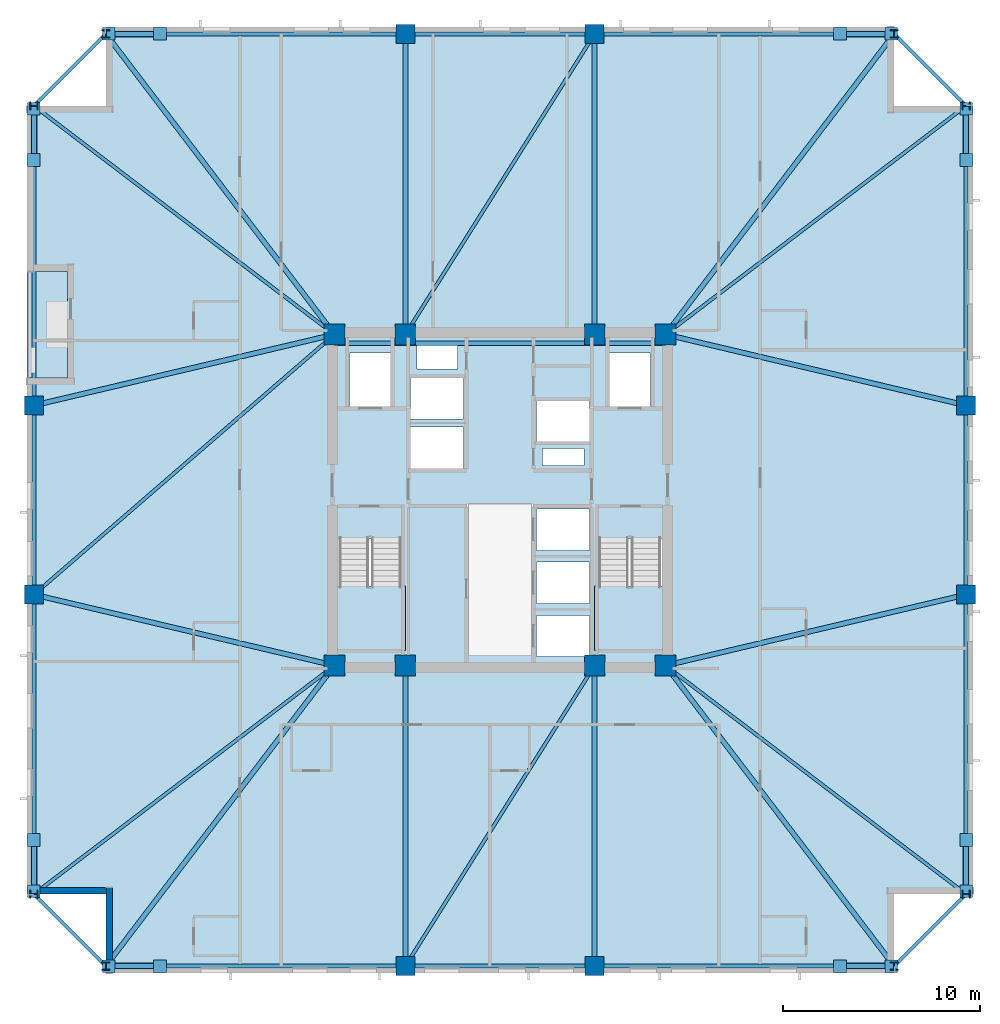
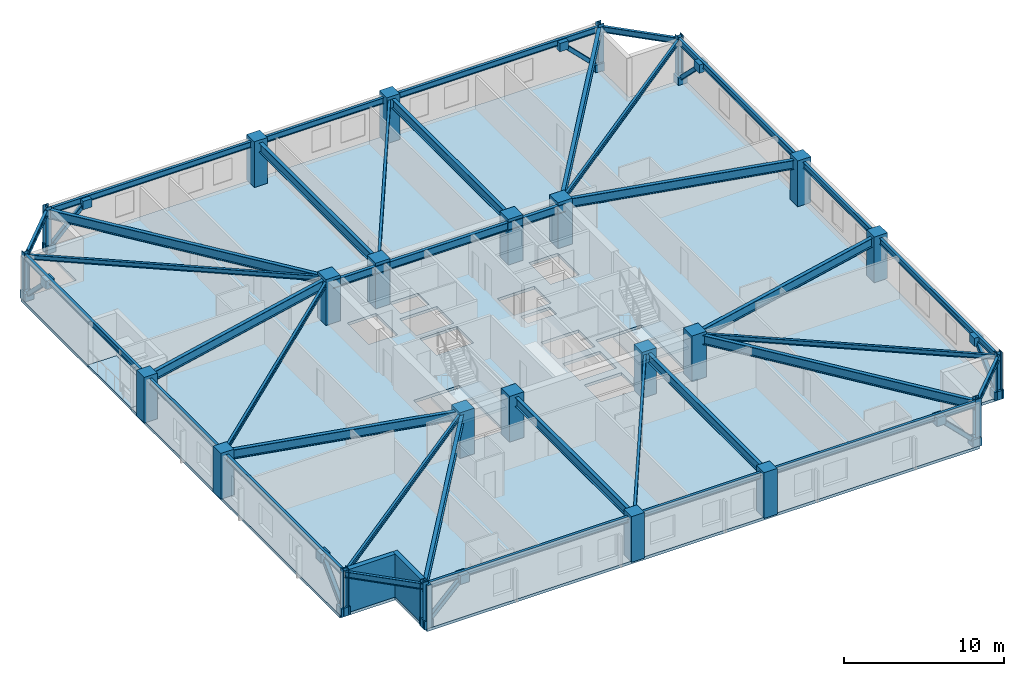
# One storey, part 1 of 10: 38 beams, 24 columns, 16 plates, 8 members, 4 slabs, 2 walls, 2 elements without a shape of their own.
"""IFC4 building model written with IfcOpenShell, lengths in metres."""

import ifcopenshell
import ifcopenshell.guid

model = None  # the IFC model being written
_history = None  # IfcOwnerHistory: only IFC2X3 demands one
_inside = {}  # id of a spatial element -> (the spatial element, [elements in it])
_under = {}  # id of a project, library or spatial element -> (it, [spatial elements below it])
_declared = {}  # id of a project -> (the project, [libraries it declares])
_typed = {}  # id of a type object -> (the type object, [elements of that type])
_made_of = {}  # id of a material, layer set ... -> (it, [elements and type objects made of it])


def new_model(schema):
    """Start an empty IFC model of exactly this schema.

    Asked for "IFC4X3", IfcOpenShell would pick the latest addendum, in which some entities
    have other attributes; the version numbers below select the first issue.
    IFC2X3 requires an IfcOwnerHistory on every rooted entity: one is made here for all.
    """
    global model, _history
    if schema == "IFC4X3":
        model = ifcopenshell.file(schema_version=(4, 3, 0, 0))
    else:
        model = ifcopenshell.file(schema=schema)
    _inside.clear()
    _under.clear()
    _declared.clear()
    _typed.clear()
    _made_of.clear()
    _history = None
    if model.schema == "IFC2X3":
        org = make("IfcOrganization", Name="unknown")
        user = make(
            "IfcPersonAndOrganization",
            ThePerson=make("IfcPerson", FamilyName="unknown"),
            TheOrganization=org,
        )
        app = make(
            "IfcApplication",
            ApplicationDeveloper=org,
            Version="unknown",
            ApplicationFullName="unknown",
            ApplicationIdentifier="unknown",
        )
        _history = make(
            "IfcOwnerHistory",
            OwningUser=user,
            OwningApplication=app,
            ChangeAction="ADDED",
            CreationDate=0,
        )
    return model


def make(cls, **values):
    """One entity of the class cls with the attributes given. An attribute that is None is left unset."""
    return model.create_entity(
        cls, **{name: value for name, value in values.items() if value is not None}
    )


def rooted(cls, **values):
    """An entity with a GlobalId (a new one), such as an element, a storey or a relation."""
    return make(cls, GlobalId=ifcopenshell.guid.new(), OwnerHistory=_history, **values)


def si_unit(unit_type, name, prefix=None):
    """IfcSIUnit, for example si_unit("LENGTHUNIT", "METRE", prefix="MILLI")."""
    return make("IfcSIUnit", UnitType=unit_type, Prefix=prefix, Name=name)


def assignment(units):
    """IfcUnitAssignment: the units of a project."""
    return None if units is None else make("IfcUnitAssignment", Units=units)


def point(xyz):
    """IfcCartesianPoint."""
    return None if xyz is None else make("IfcCartesianPoint", Coordinates=xyz)


def direction(xyz):
    """IfcDirection."""
    return None if xyz is None else make("IfcDirection", DirectionRatios=xyz)


def frame(location, z_axis=None, x_axis=None):
    """IfcAxis2Placement3D, a coordinate frame: its origin and axes. An axis left out is left unset."""
    return make(
        "IfcAxis2Placement3D",
        Location=point(location),
        Axis=direction(z_axis),
        RefDirection=direction(x_axis),
    )


def frame_2d(location, x_axis=None):
    """IfcAxis2Placement2D, a coordinate frame in the plane: its origin and x axis."""
    return make(
        "IfcAxis2Placement2D", Location=point(location), RefDirection=direction(x_axis)
    )


def origin():
    """The frame at (0, 0, 0) with its axes left unset."""
    return frame((0.0, 0.0, 0.0))


def origin_2d():
    """The frame at (0, 0) in the plane with its x axis left unset."""
    return frame_2d((0.0, 0.0))


def place(relative_to, where):
    """IfcLocalPlacement: puts the frame where relative to a parent placement (None: the world)."""
    return make(
        "IfcLocalPlacement", PlacementRelTo=relative_to, RelativePlacement=where
    )


def context(
    kind, dimensions, precision=None, world=None, true_north=None, identifier=None
):
    """IfcGeometricRepresentationContext, for example the 3D "Model" context."""
    return make(
        "IfcGeometricRepresentationContext",
        ContextIdentifier=identifier,
        ContextType=kind,
        CoordinateSpaceDimension=dimensions,
        Precision=precision,
        WorldCoordinateSystem=world,
        TrueNorth=true_north,
    )


def subcontext(parent, identifier, kind, view, scale=None):
    """IfcGeometricRepresentationSubContext, for example "Body" below "Model"."""
    return make(
        "IfcGeometricRepresentationSubContext",
        ContextIdentifier=identifier,
        ContextType=kind,
        ParentContext=parent,
        TargetScale=scale,
        TargetView=view,
    )


def project(units=None, contexts=None):
    """IfcProject with its units and contexts."""
    return rooted(
        "IfcProject",
        Name="project",
        RepresentationContexts=contexts,
        UnitsInContext=assignment(units),
    )


def spatial(cls, under=None, at=None, **own):
    """A site, building, storey or space (cls), placed at a placement, below another one or the project."""
    s = rooted(cls, ObjectPlacement=at, **own)
    if under is not None:
        _under.setdefault(under.id(), (under, []))[1].append(s)
    return s


def polyline(points):
    """IfcPolyline through the points."""
    return make("IfcPolyline", Points=[point(p) for p in points])


def profile(cls, at=None, kind="AREA", **sizes):
    """A parametric profile (cls). Its sizes go by their IFC names, for example OverallWidth=200.0."""
    return make(cls, ProfileType=kind, Position=at, **sizes)


def rectangle(**sizes):
    """IfcRectangleProfileDef."""
    return profile("IfcRectangleProfileDef", **sizes)


def hollow_rectangle(**sizes):
    """IfcRectangleHollowProfileDef."""
    return profile("IfcRectangleHollowProfileDef", **sizes)


def i_section(**sizes):
    """IfcIShapeProfileDef."""
    return profile("IfcIShapeProfileDef", **sizes)


def outline(outer, holes=None, kind="AREA"):
    """IfcArbitraryClosedProfileDef: a profile drawn as a closed curve; with holes, ...WithVoids."""
    if holes is None:
        return make("IfcArbitraryClosedProfileDef", ProfileType=kind, OuterCurve=outer)
    return make(
        "IfcArbitraryProfileDefWithVoids",
        ProfileType=kind,
        OuterCurve=outer,
        InnerCurves=holes,
    )


def extrude(swept, where, along, depth):
    """IfcExtrudedAreaSolid: the profile swept, set in the frame where, extruded along a direction by depth."""
    return make(
        "IfcExtrudedAreaSolid",
        SweptArea=swept,
        Position=where,
        ExtrudedDirection=direction(along),
        Depth=depth,
    )


def shape(context_of_items, identifier, shape_type, items):
    """IfcShapeRepresentation: the items that make up one representation, for example the "Body"."""
    return make(
        "IfcShapeRepresentation",
        ContextOfItems=context_of_items,
        RepresentationIdentifier=identifier,
        RepresentationType=shape_type,
        Items=items,
    )


def material(Name=None, Category=None):
    """IfcMaterial."""
    return make("IfcMaterial", Name=Name, Category=Category)


def layer(
    of_material, thickness, ventilated=None, Name=None, Category=None, Priority=None
):
    """IfcMaterialLayer: one layer of a wall or slab, of a material (None: an air gap)."""
    return make(
        "IfcMaterialLayer",
        Material=of_material,
        LayerThickness=thickness,
        IsVentilated=ventilated,
        Name=Name,
        Category=Category,
        Priority=Priority,
    )


def layer_set(layers, Name=None):
    """IfcMaterialLayerSet."""
    return make("IfcMaterialLayerSet", MaterialLayers=layers, LayerSetName=Name)


def material_profile(
    of_material, cross_section, Name=None, Category=None, Priority=None
):
    """IfcMaterialProfile: a cross section and its material."""
    return make(
        "IfcMaterialProfile",
        Name=Name,
        Material=of_material,
        Profile=cross_section,
        Priority=Priority,
        Category=Category,
    )


def profile_set(profiles, Name=None, composite=None):
    """IfcMaterialProfileSet."""
    return make(
        "IfcMaterialProfileSet",
        Name=Name,
        MaterialProfiles=profiles,
        CompositeProfile=composite,
    )


def made_of(thing, what):
    """Note that an element or type object is made of a material, layer set ...; save() writes the relation."""
    if what is not None:
        _made_of.setdefault(what.id(), (what, []))[1].append(thing)
    return thing


def type_object(cls, material=None, **own):
    """A type object (cls), such as IfcWallType, which elements share."""
    return made_of(rooted(cls, **own), material)


def element(
    cls,
    number,
    at=None,
    inside=None,
    cuts=None,
    type_object=None,
    material=None,
    context=None,
    identifier="Body",
    shape_type=None,
    held_by="IfcProductDefinitionShape",
    body=None,
    shapes=None,
    **own,
):
    """One element of the class cls, such as IfcWall. Its Tag is "e" and its number.

    at: its placement. inside: the storey or other place that contains it. cuts: it is an
    opening in that element (IfcRelVoidsElement). A single representation is given by context,
    identifier, shape_type and body (its items); several are given by shapes. held_by: the class
    of the entity that holds the representations. save() writes the other relations.
    """
    e = rooted(cls, Tag="e%d" % number, ObjectPlacement=at, **own)
    if body is not None:
        shapes = [shape(context, identifier, shape_type, body)]
    if shapes is not None:
        e.Representation = make(held_by, Representations=shapes)
    if inside is not None:
        _inside.setdefault(inside.id(), (inside, []))[1].append(e)
    if cuts is not None:
        rooted(
            "IfcRelVoidsElement", RelatingBuildingElement=cuts, RelatedOpeningElement=e
        )
    if type_object is not None:
        _typed.setdefault(type_object.id(), (type_object, []))[1].append(e)
    return made_of(e, material)


def aggregate(whole, parts):
    """IfcRelAggregates: a whole, such as a stair, and the parts it consists of."""
    return rooted("IfcRelAggregates", RelatingObject=whole, RelatedObjects=parts)


def save(model, path):
    """Write the relations noted so far, then the file.

    IfcRelAggregates (storeys below a building ...), IfcRelContainedInSpatialStructure (elements
    in a storey), IfcRelDefinesByType, IfcRelAssociatesMaterial and IfcRelDeclares: one each for
    every whole, place, type object, material and project.
    """
    for whole, parts in _under.values():
        aggregate(whole, parts)
    for where, things in _inside.values():
        rooted(
            "IfcRelContainedInSpatialStructure",
            RelatedElements=things,
            RelatingStructure=where,
        )
    for kind, things in _typed.values():
        rooted("IfcRelDefinesByType", RelatedObjects=things, RelatingType=kind)
    for what, things in _made_of.values():
        rooted("IfcRelAssociatesMaterial", RelatedObjects=things, RelatingMaterial=what)
    for by, libraries in _declared.values():
        rooted("IfcRelDeclares", RelatingContext=by, RelatedDefinitions=libraries)
    model.write(path)


model = new_model("IFC4")

# Units and contexts
model_context = context("Model", 3, precision=1e-05, world=origin(), true_north=direction((0.0, 1.0)))
body_context = subcontext(model_context, "Body", "Model", "MODEL_VIEW")
ifc_project = project(units=[si_unit("LENGTHUNIT", "METRE"), si_unit("AREAUNIT", "SQUARE_METRE"), si_unit("VOLUMEUNIT", "CUBIC_METRE"), si_unit("PLANEANGLEUNIT", "RADIAN"), si_unit("MASSUNIT", "GRAM", prefix="KILO")], contexts=[model_context])

# Site, building, storey
site_placement = place(None, origin())
site = spatial("IfcSite", under=ifc_project, at=site_placement, CompositionType="ELEMENT")
building_placement = place(site_placement, origin())
building = spatial("IfcBuilding", under=site, at=building_placement, Name="Cairnveth Concourse Tower", CompositionType="ELEMENT")
storey_placement = place(building_placement, frame((0.0, 0.0, 113.0)))
storey = spatial("IfcBuildingStorey", under=building, at=storey_placement, Name="L30", CompositionType="ELEMENT", Elevation=113.0)

# Columns
ifc_material_1 = material(Name="Concrete N65 (65 MPa)", Category="concrete")
ifc_material_profile_1 = material_profile(ifc_material_1, rectangle(XDim=1.050048828125, YDim=1.050048828125, at=origin_2d()), Name="RC-COL-1050x1050")
ifc_profile_set_1 = profile_set([ifc_material_profile_1], Name="Concrete N65 (65 MPa)")
column_type_1 = type_object("IfcColumnType", Name="CORE COLUMN 1050X1050", PredefinedType="COLUMN", material=ifc_profile_set_1)
for number, where, z_axis, x_axis, name in (
    (1, (43.60009765625, 30.60009765625, 0.0), (0.0, 0.0, 1.0), (1.0, 0.0, 0.0), "Column CC1 L30"),
    (2, (47.199951171875, 30.60009765625, 0.0), (0.0, 0.0, 1.0), (1.0, 0.0, 0.0), "Column CC2 L30"),
    (3, (56.800048828125, 30.60009765625, 0.0), (0.0, 0.0, 1.0), (1.0, 0.0, 0.0), "Column CC3 L30"),
    (4, (60.39990234375, 30.60009765625, 0.0), (0.0, 0.0, 1.0), (1.0, 0.0, 0.0), "Column CC4 L30"),
    (5, (43.60009765625, 47.39990234375, 0.0), (0.0, 0.0, 1.0), (1.0, 0.0, 0.0), "Column CC5 L30"),
    (6, (47.199951171875, 47.39990234375, 0.0), (0.0, 0.0, 1.0), (1.0, 0.0, 0.0), "Column CC6 L30"),
    (7, (56.800048828125, 47.39990234375, 0.0), (0.0, 0.0, 1.0), (1.0, 0.0, 0.0), "Column CC7 L30"),
    (8, (60.39990234375, 47.39990234375, 0.0), (0.0, 0.0, 1.0), (1.0, 0.0, 0.0), "Column CC8 L30"),
):
    element("IfcColumn", number, at=place(storey_placement, frame(where, z_axis=z_axis, x_axis=x_axis)), inside=storey, type_object=column_type_1, Name=name, PredefinedType="COLUMN", context=body_context, shape_type="SweptSolid", body=[
        extrude(rectangle(XDim=1.050048828125, YDim=1.050048828125, at=origin_2d()), origin(), (0.0, 0.0, 1.0), 3.5),
    ])
ifc_material_profile_2 = material_profile(ifc_material_1, rectangle(XDim=0.949951171875, YDim=0.949951171875, at=origin_2d()), Name="RC-COL-950x950")
ifc_profile_set_2 = profile_set([ifc_material_profile_2], Name="Concrete N65 (65 MPa)")
column_type_2 = type_object("IfcColumnType", Name="PERIMETER PIER COLUMN 950X950", PredefinedType="COLUMN", material=ifc_profile_set_2)
for number, where, z_axis, x_axis, name in (
    (9, (47.199951171875, 15.35009765625, 0.0), (0.0, 0.0, 1.0), (1.0, 0.0, 0.0), "Column P-S2 L30"),
    (10, (56.800048828125, 15.35009765625, 0.0), (0.0, 0.0, 1.0), (1.0, 0.0, 0.0), "Column P-S3 L30"),
    (11, (75.64990234375, 34.199951171875, 0.0), (0.0, 0.0, 1.0), (0.0, 1.0, 0.0), "Column P-E2 L30"),
    (12, (75.64990234375, 43.800048828125, 0.0), (0.0, 0.0, 1.0), (0.0, 1.0, 0.0), "Column P-E3 L30"),
    (13, (56.800048828125, 62.64990234375, 0.0), (0.0, 0.0, 1.0), (1.0, 0.0, 0.0), "Column P-N2 L30"),
    (14, (47.199951171875, 62.64990234375, 0.0), (0.0, 0.0, 1.0), (1.0, 0.0, 0.0), "Column P-N3 L30"),
    (15, (28.35009765625, 43.800048828125, 0.0), (0.0, 0.0, 1.0), (0.0, 1.0, 0.0), "Column P-W2 L30"),
    (16, (28.35009765625, 34.199951171875, 0.0), (0.0, 0.0, 1.0), (0.0, 1.0, 0.0), "Column P-W3 L30"),
):
    element("IfcColumn", number, at=place(storey_placement, frame(where, z_axis=z_axis, x_axis=x_axis)), inside=storey, type_object=column_type_2, Name=name, PredefinedType="COLUMN", context=body_context, shape_type="SweptSolid", body=[
        extrude(rectangle(XDim=0.949951171875, YDim=0.949951171875, at=origin_2d()), origin(), (0.0, 0.0, 1.0), 3.5),
    ])
ifc_material_2 = material(Name="Steel Grade 350", Category="steel")
ifc_material_profile_3 = material_profile(ifc_material_2, i_section(OverallWidth=0.39990234375, OverallDepth=0.39990234375, WebThickness=0.02197265625, FlangeThickness=0.035888671875, at=origin_2d()), Name="400WC270")
ifc_profile_set_3 = profile_set([ifc_material_profile_3], Name="Steel Grade 350")
column_type_3 = type_object("IfcColumnType", Name="WELDED STEEL COLUMN 400WC270", PredefinedType="COLUMN", material=ifc_profile_set_3)
for number, where, z_axis, x_axis, name in (
    (17, (32.0, 15.35009765625, 0.0), (0.0, 0.0, 1.0), (1.0, 0.0, 0.0), "Column P-S1 L30"),
    (18, (72.0, 15.35009765625, 0.0), (0.0, 0.0, 1.0), (1.0, 0.0, 0.0), "Column P-S4 L30"),
    (19, (75.64990234375, 19.0, 0.0), (0.0, 0.0, 1.0), (0.0, 1.0, 0.0), "Column P-E1 L30"),
    (20, (75.64990234375, 59.0, 0.0), (0.0, 0.0, 1.0), (0.0, 1.0, 0.0), "Column P-E4 L30"),
    (21, (72.0, 62.64990234375, 0.0), (0.0, 0.0, 1.0), (1.0, 0.0, 0.0), "Column P-N1 L30"),
    (22, (32.0, 62.64990234375, 0.0), (0.0, 0.0, 1.0), (1.0, 0.0, 0.0), "Column P-N4 L30"),
    (23, (28.35009765625, 59.0, 0.0), (0.0, 0.0, 1.0), (0.0, 1.0, 0.0), "Column P-W1 L30"),
    (24, (28.35009765625, 19.0, 0.0), (0.0, 0.0, 1.0), (0.0, 1.0, 0.0), "Column P-W4 L30"),
):
    element("IfcColumn", number, at=place(storey_placement, frame(where, z_axis=z_axis, x_axis=x_axis)), inside=storey, type_object=column_type_3, Name=name, PredefinedType="COLUMN", context=body_context, shape_type="SweptSolid", body=[
        extrude(i_section(OverallWidth=0.39990234375, OverallDepth=0.39990234375, WebThickness=0.02197265625, FlangeThickness=0.035888671875, at=origin_2d()), origin(), (0.0, 0.0, 1.0), 3.5),
    ])

# Beams
ifc_material_profile_4 = material_profile(ifc_material_2, i_section(OverallWidth=0.22802734375, OverallDepth=0.60693359375, WebThickness=0.01123046875, FlangeThickness=0.017333984375, FilletRadius=0.013916015625, at=origin_2d()), Name="610UB113")
ifc_profile_set_4 = profile_set([ifc_material_profile_4], Name="Steel Grade 350")
beam_type_1 = type_object("IfcBeamType", Name="CORE TIE BEAM 610UB113", PredefinedType="T_BEAM", material=ifc_profile_set_4)
for number, where, z_axis, x_axis, name in (
    (25, (43.60009765625, 46.949951171875, 2.9765625), (1.0, 0.0, 0.0), (0.0, 1.0, 0.0), "Beam CT-N1 L30"),
    (26, (56.800048828125, 46.949951171875, 2.9765625), (1.0, 0.0, 0.0), (0.0, 1.0, 0.0), "Beam CT-N3 L30"),
):
    element("IfcBeam", number, at=place(storey_placement, frame(where, z_axis=z_axis, x_axis=x_axis)), inside=storey, type_object=beam_type_1, Name=name, PredefinedType="T_BEAM", context=body_context, shape_type="SweptSolid", body=[
        extrude(i_section(OverallWidth=0.22802734375, OverallDepth=0.60693359375, WebThickness=0.01123046875, FlangeThickness=0.017333984375, FilletRadius=0.013916015625, at=origin_2d()), origin(), (0.0, 0.0, 1.0), 3.599853515625),
    ])
beam_1_placement = place(storey_placement, frame((47.199951171875, 46.949951171875, 2.9765625), z_axis=(1.0, 0.0, 0.0), x_axis=(0.0, 1.0, 0.0)))
element("IfcBeam", 27, at=beam_1_placement, inside=storey, type_object=beam_type_1, Name="Beam CT-N2 L30", PredefinedType="T_BEAM", context=body_context, shape_type="SweptSolid", body=[
    extrude(i_section(OverallWidth=0.22802734375, OverallDepth=0.60693359375, WebThickness=0.01123046875, FlangeThickness=0.017333984375, FilletRadius=0.013916015625, at=origin_2d()), origin(), (0.0, 0.0, 1.0), 9.60009765625),
])
ifc_material_profile_5 = material_profile(ifc_material_2, i_section(OverallWidth=0.172119140625, OverallDepth=0.35888671875, WebThickness=0.008056640625, FlangeThickness=0.012939453125, FilletRadius=0.010986328125, at=origin_2d()), Name="360UB56.7")
ifc_profile_set_5 = profile_set([ifc_material_profile_5], Name="Steel Grade 350")
beam_type_2 = type_object("IfcBeamType", Name="ZONE 2 FLOOR JOIST 360UB56.7", PredefinedType="JOIST", material=ifc_profile_set_5)
for number, where, z_axis, x_axis, name in (
    (28, (28.35009765625, 19.0, 3.1005859375), (0.795908242904, 0.6054172684, 0.0), (-0.6054172684, 0.795908242904, 0.0), "Beam FJ-CSW2 L30"),
    (29, (75.64990234375, 19.0, 3.1005859375), (-0.795908242904, 0.6054172684, 0.0), (-0.6054172684, -0.795908242904, 0.0), "Beam FJ-CSE2 L30"),
    (30, (75.64990234375, 59.0, 3.1005859375), (-0.795908242904, -0.6054172684, 0.0), (0.6054172684, -0.795908242904, 0.0), "Beam FJ-CNE2 L30"),
    (31, (28.35009765625, 59.0, 3.1005859375), (0.795908242904, -0.6054172684, 0.0), (0.6054172684, 0.795908242904, 0.0), "Beam FJ-CNW2 L30"),
):
    element("IfcBeam", number, at=place(storey_placement, frame(where, z_axis=z_axis, x_axis=x_axis)), inside=storey, type_object=beam_type_2, Name=name, PredefinedType="JOIST", context=body_context, shape_type="SweptSolid", body=[
        extrude(i_section(OverallWidth=0.172119140625, OverallDepth=0.35888671875, WebThickness=0.008056640625, FlangeThickness=0.012939453125, FilletRadius=0.010986328125, at=origin_2d()), origin(), (0.0, 0.0, 1.0), 19.160400390625),
    ])
for number, where, z_axis, x_axis, name in (
    (32, (47.199951171875, 15.35009765625, 3.1005859375), (0.532743557037, 0.84627672923, 0.0), (-0.84627672923, 0.532743557037, 0.0), "Beam FJ-S-M1 L30"),
    (33, (47.199951171875, 47.39990234375, 3.1005859375), (0.532743557037, 0.84627672923, 0.0), (-0.84627672923, 0.532743557037, 0.0), "Beam FJ-N-M1 L30"),
):
    element("IfcBeam", number, at=place(storey_placement, frame(where, z_axis=z_axis, x_axis=x_axis)), inside=storey, type_object=beam_type_2, Name=name, PredefinedType="JOIST", context=body_context, shape_type="SweptSolid", body=[
        extrude(i_section(OverallWidth=0.172119140625, OverallDepth=0.35888671875, WebThickness=0.008056640625, FlangeThickness=0.012939453125, FilletRadius=0.010986328125, at=origin_2d()), origin(), (0.0, 0.0, 1.0), 18.02001953125),
    ])
beam_2_placement = place(storey_placement, frame((28.35009765625, 34.199951171875, 3.1005859375), z_axis=(0.756099107057, 0.654457134049, 0.0), x_axis=(-0.654457134049, 0.756099107057, 0.0)))
element("IfcBeam", 34, at=beam_2_placement, inside=storey, type_object=beam_type_2, Name="Beam FJ-W-M1 L30", PredefinedType="JOIST", context=body_context, shape_type="SweptSolid", body=[
    extrude(i_section(OverallWidth=0.172119140625, OverallDepth=0.35888671875, WebThickness=0.008056640625, FlangeThickness=0.012939453125, FilletRadius=0.010986328125, at=origin_2d()), origin(), (0.0, 0.0, 1.0), 20.16943359375),
])

# Members
ifc_material_3 = material(Name="Steel C350L0 (350 MPa)", Category="steel")
ifc_material_profile_6 = material_profile(ifc_material_3, hollow_rectangle(XDim=0.300048828125, YDim=0.300048828125, WallThickness=0.01611328125, InnerFilletRadius=0.01611328125, OuterFilletRadius=0.031982421875, at=origin_2d()), Name="300x300x16.0SHS")
ifc_profile_set_6 = profile_set([ifc_material_profile_6], Name="Steel C350L0 (350 MPa)")
member_type = type_object("IfcMemberType", Name="ZONE 2 PIER BRACE 300X300X16SHS", PredefinedType="BRACE", material=ifc_profile_set_6)
for number, where, z_axis, x_axis, name in (
    (35, (32.14990234375, 15.35009765625, 0.25), (0.709834195787, 0.0, 0.704368805735), (0.0, 1.0, 0.0), "Structural Brace PB-S1 L30"),
    (36, (71.85009765625, 15.35009765625, 0.25), (-0.709834195787, 0.0, 0.704368805735), (0.0, -1.0, 0.0), "Structural Brace PB-S2 L30"),
    (37, (32.14990234375, 62.64990234375, 0.25), (0.709834195787, 0.0, 0.704368805735), (0.0, 1.0, 0.0), "Structural Brace PB-N1 L30"),
    (38, (71.85009765625, 62.64990234375, 0.25), (-0.709834195787, 0.0, 0.704368805735), (0.0, -1.0, 0.0), "Structural Brace PB-N2 L30"),
    (39, (28.35009765625, 19.14990234375, 0.25), (0.0, 0.709834195787, 0.704368805735), (-1.0, 0.0, 0.0), "Structural Brace PB-W1 L30"),
    (40, (28.35009765625, 58.85009765625, 0.25), (0.0, -0.709834195787, 0.704368805735), (1.0, 0.0, 0.0), "Structural Brace PB-W2 L30"),
    (41, (75.64990234375, 19.14990234375, 0.25), (0.0, 0.709834195787, 0.704368805735), (-1.0, 0.0, 0.0), "Structural Brace PB-E1 L30"),
    (42, (75.64990234375, 58.85009765625, 0.25), (0.0, -0.709834195787, 0.704368805735), (1.0, 0.0, 0.0), "Structural Brace PB-E2 L30"),
):
    element("IfcMember", number, at=place(storey_placement, frame(where, z_axis=z_axis, x_axis=x_axis)), inside=storey, type_object=member_type, Name=name, PredefinedType="BRACE", context=body_context, shape_type="SweptSolid", body=[
        extrude(hollow_rectangle(XDim=0.300048828125, YDim=0.300048828125, WallThickness=0.01611328125, InnerFilletRadius=0.01611328125, OuterFilletRadius=0.031982421875, at=origin_2d()), origin(), (0.0, 0.0, 1.0), 3.6630859375),
    ])

# Beams
ifc_material_profile_7 = material_profile(ifc_material_2, i_section(OverallWidth=0.25, OverallDepth=0.699951171875, WebThickness=0.011962890625, FlangeThickness=0.028076171875, at=origin_2d()), Name="700WB173")
ifc_profile_set_7 = profile_set([ifc_material_profile_7], Name="Steel Grade 350")
beam_type_3 = type_object("IfcBeamType", Name="ZONE 2 RADIAL GIRDER 700WB173", PredefinedType="BEAM", material=ifc_profile_set_7)
for number, where, z_axis, x_axis, name in (
    (43, (47.199951171875, 15.35009765625, 2.929931640625), (0.0, 1.0, 0.0), (-1.0, 0.0, 0.0), "Beam RG-S1 L30"),
    (44, (56.800048828125, 15.35009765625, 2.929931640625), (0.0, 1.0, 0.0), (-1.0, 0.0, 0.0), "Beam RG-S2 L30"),
    (45, (47.199951171875, 47.39990234375, 2.929931640625), (0.0, 1.0, 0.0), (-1.0, 0.0, 0.0), "Beam RG-N1 L30"),
    (46, (56.800048828125, 47.39990234375, 2.929931640625), (0.0, 1.0, 0.0), (-1.0, 0.0, 0.0), "Beam RG-N2 L30"),
):
    element("IfcBeam", number, at=place(storey_placement, frame(where, z_axis=z_axis, x_axis=x_axis)), inside=storey, type_object=beam_type_3, Name=name, PredefinedType="BEAM", context=body_context, shape_type="SweptSolid", body=[
        extrude(i_section(OverallWidth=0.25, OverallDepth=0.699951171875, WebThickness=0.011962890625, FlangeThickness=0.028076171875, at=origin_2d()), origin(), (0.0, 0.0, 1.0), 15.25),
    ])
for number, where, z_axis, x_axis, name in (
    (47, (28.35009765625, 34.199951171875, 2.929931640625), (0.973251602929, -0.229741849468, 0.0), (0.229741849468, 0.973251602929, 0.0), "Beam RG-W1 L30"),
    (48, (28.35009765625, 43.800048828125, 2.929931640625), (0.973251602929, 0.229741849468, 0.0), (-0.229741849468, 0.973251602929, 0.0), "Beam RG-W2 L30"),
    (49, (60.39990234375, 30.60009765625, 2.929931640625), (0.973251602929, 0.229741849468, 0.0), (-0.229741849468, 0.973251602929, 0.0), "Beam RG-E1 L30"),
    (50, (60.39990234375, 47.39990234375, 2.929931640625), (0.973251602929, -0.229741849468, 0.0), (0.229741849468, 0.973251602929, 0.0), "Beam RG-E2 L30"),
):
    element("IfcBeam", number, at=place(storey_placement, frame(where, z_axis=z_axis, x_axis=x_axis)), inside=storey, type_object=beam_type_3, Name=name, PredefinedType="BEAM", context=body_context, shape_type="SweptSolid", body=[
        extrude(i_section(OverallWidth=0.25, OverallDepth=0.699951171875, WebThickness=0.011962890625, FlangeThickness=0.028076171875, at=origin_2d()), origin(), (0.0, 0.0, 1.0), 15.669189453125),
    ])
for number, where, z_axis, x_axis, name in (
    (51, (32.0, 15.35009765625, 2.929931640625), (0.6054172684, 0.795908242904, 0.0), (-0.795908242904, 0.6054172684, 0.0), "Beam RG-CSW L30"),
    (52, (72.0, 15.35009765625, 2.929931640625), (-0.6054172684, 0.795908242904, 0.0), (-0.795908242904, -0.6054172684, 0.0), "Beam RG-CSE L30"),
    (53, (72.0, 62.64990234375, 2.929931640625), (-0.6054172684, -0.795908242904, 0.0), (0.795908242904, -0.6054172684, 0.0), "Beam RG-CNE L30"),
    (54, (32.0, 62.64990234375, 2.929931640625), (0.6054172684, -0.795908242904, 0.0), (0.795908242904, 0.6054172684, 0.0), "Beam RG-CNW L30"),
):
    element("IfcBeam", number, at=place(storey_placement, frame(where, z_axis=z_axis, x_axis=x_axis)), inside=storey, type_object=beam_type_3, Name=name, PredefinedType="BEAM", context=body_context, shape_type="SweptSolid", body=[
        extrude(i_section(OverallWidth=0.25, OverallDepth=0.699951171875, WebThickness=0.011962890625, FlangeThickness=0.028076171875, at=origin_2d()), origin(), (0.0, 0.0, 1.0), 19.160400390625),
    ])
ifc_material_profile_8 = material_profile(ifc_material_2, i_section(OverallWidth=0.18994140625, OverallDepth=0.45703125, WebThickness=0.009033203125, FlangeThickness=0.014404296875, FilletRadius=0.010986328125, at=origin_2d()), Name="460UB74.6")
ifc_profile_set_8 = profile_set([ifc_material_profile_8], Name="Steel Grade 350")
beam_type_4 = type_object("IfcBeamType", Name="ZONE 2 SPANDREL BEAM 460UB74.6", PredefinedType="SPANDREL", material=ifc_profile_set_8)
beam_3_placement = place(storey_placement, frame((32.0, 15.35009765625, 3.051513671875), z_axis=(1.0, 0.0, 0.0), x_axis=(0.0, 1.0, 0.0)))
element("IfcBeam", 55, at=beam_3_placement, inside=storey, type_object=beam_type_4, Name="Beam SP-S1 L30", PredefinedType="SPANDREL", context=body_context, shape_type="SweptSolid", body=[
    extrude(i_section(OverallWidth=0.18994140625, OverallDepth=0.45703125, WebThickness=0.009033203125, FlangeThickness=0.014404296875, FilletRadius=0.010986328125, at=origin_2d()), origin(), (0.0, 0.0, 1.0), 15.199951171875),
])
beam_4_placement = place(storey_placement, frame((47.199951171875, 15.35009765625, 3.051513671875), z_axis=(1.0, 0.0, 0.0), x_axis=(0.0, 1.0, 0.0)))
element("IfcBeam", 56, at=beam_4_placement, inside=storey, type_object=beam_type_4, Name="Beam SP-S2 L30", PredefinedType="SPANDREL", context=body_context, shape_type="SweptSolid", body=[
    extrude(i_section(OverallWidth=0.18994140625, OverallDepth=0.45703125, WebThickness=0.009033203125, FlangeThickness=0.014404296875, FilletRadius=0.010986328125, at=origin_2d()), origin(), (0.0, 0.0, 1.0), 9.60009765625),
])
for number, where, z_axis, x_axis, name in (
    (57, (56.800048828125, 15.35009765625, 3.051513671875), (1.0, 0.0, 0.0), (0.0, 1.0, 0.0), "Beam SP-S3 L30"),
    (58, (32.0, 62.64990234375, 3.051513671875), (1.0, 0.0, 0.0), (0.0, 1.0, 0.0), "Beam SP-N1 L30"),
):
    element("IfcBeam", number, at=place(storey_placement, frame(where, z_axis=z_axis, x_axis=x_axis)), inside=storey, type_object=beam_type_4, Name=name, PredefinedType="SPANDREL", context=body_context, shape_type="SweptSolid", body=[
        extrude(i_section(OverallWidth=0.18994140625, OverallDepth=0.45703125, WebThickness=0.009033203125, FlangeThickness=0.014404296875, FilletRadius=0.010986328125, at=origin_2d()), origin(), (0.0, 0.0, 1.0), 15.199951171875),
    ])
beam_5_placement = place(storey_placement, frame((47.199951171875, 62.64990234375, 3.051513671875), z_axis=(1.0, 0.0, 0.0), x_axis=(0.0, 1.0, 0.0)))
element("IfcBeam", 59, at=beam_5_placement, inside=storey, type_object=beam_type_4, Name="Beam SP-N2 L30", PredefinedType="SPANDREL", context=body_context, shape_type="SweptSolid", body=[
    extrude(i_section(OverallWidth=0.18994140625, OverallDepth=0.45703125, WebThickness=0.009033203125, FlangeThickness=0.014404296875, FilletRadius=0.010986328125, at=origin_2d()), origin(), (0.0, 0.0, 1.0), 9.60009765625),
])
for number, where, z_axis, x_axis, name in (
    (60, (56.800048828125, 62.64990234375, 3.051513671875), (1.0, 0.0, 0.0), (0.0, 1.0, 0.0), "Beam SP-N3 L30"),
    (61, (28.35009765625, 19.0, 3.051513671875), (0.0, 1.0, 0.0), (-1.0, 0.0, 0.0), "Beam SP-W1 L30"),
):
    element("IfcBeam", number, at=place(storey_placement, frame(where, z_axis=z_axis, x_axis=x_axis)), inside=storey, type_object=beam_type_4, Name=name, PredefinedType="SPANDREL", context=body_context, shape_type="SweptSolid", body=[
        extrude(i_section(OverallWidth=0.18994140625, OverallDepth=0.45703125, WebThickness=0.009033203125, FlangeThickness=0.014404296875, FilletRadius=0.010986328125, at=origin_2d()), origin(), (0.0, 0.0, 1.0), 15.199951171875),
    ])
beam_6_placement = place(storey_placement, frame((28.35009765625, 34.199951171875, 3.051513671875), z_axis=(0.0, 1.0, 0.0), x_axis=(-1.0, 0.0, 0.0)))
element("IfcBeam", 62, at=beam_6_placement, inside=storey, type_object=beam_type_4, Name="Beam SP-W2 L30", PredefinedType="SPANDREL", context=body_context, shape_type="SweptSolid", body=[
    extrude(i_section(OverallWidth=0.18994140625, OverallDepth=0.45703125, WebThickness=0.009033203125, FlangeThickness=0.014404296875, FilletRadius=0.010986328125, at=origin_2d()), origin(), (0.0, 0.0, 1.0), 9.60009765625),
])
for number, where, z_axis, x_axis, name in (
    (63, (28.35009765625, 43.800048828125, 3.051513671875), (0.0, 1.0, 0.0), (-1.0, 0.0, 0.0), "Beam SP-W3 L30"),
    (64, (75.64990234375, 19.0, 3.051513671875), (0.0, 1.0, 0.0), (-1.0, 0.0, 0.0), "Beam SP-E1 L30"),
):
    element("IfcBeam", number, at=place(storey_placement, frame(where, z_axis=z_axis, x_axis=x_axis)), inside=storey, type_object=beam_type_4, Name=name, PredefinedType="SPANDREL", context=body_context, shape_type="SweptSolid", body=[
        extrude(i_section(OverallWidth=0.18994140625, OverallDepth=0.45703125, WebThickness=0.009033203125, FlangeThickness=0.014404296875, FilletRadius=0.010986328125, at=origin_2d()), origin(), (0.0, 0.0, 1.0), 15.199951171875),
    ])
beam_7_placement = place(storey_placement, frame((75.64990234375, 34.199951171875, 3.051513671875), z_axis=(0.0, 1.0, 0.0), x_axis=(-1.0, 0.0, 0.0)))
element("IfcBeam", 65, at=beam_7_placement, inside=storey, type_object=beam_type_4, Name="Beam SP-E2 L30", PredefinedType="SPANDREL", context=body_context, shape_type="SweptSolid", body=[
    extrude(i_section(OverallWidth=0.18994140625, OverallDepth=0.45703125, WebThickness=0.009033203125, FlangeThickness=0.014404296875, FilletRadius=0.010986328125, at=origin_2d()), origin(), (0.0, 0.0, 1.0), 9.60009765625),
])
beam_8_placement = place(storey_placement, frame((75.64990234375, 43.800048828125, 3.051513671875), z_axis=(0.0, 1.0, 0.0), x_axis=(-1.0, 0.0, 0.0)))
element("IfcBeam", 66, at=beam_8_placement, inside=storey, type_object=beam_type_4, Name="Beam SP-E3 L30", PredefinedType="SPANDREL", context=body_context, shape_type="SweptSolid", body=[
    extrude(i_section(OverallWidth=0.18994140625, OverallDepth=0.45703125, WebThickness=0.009033203125, FlangeThickness=0.014404296875, FilletRadius=0.010986328125, at=origin_2d()), origin(), (0.0, 0.0, 1.0), 15.199951171875),
])
for number, where, z_axis, x_axis, name in (
    (67, (28.35009765625, 19.0, 3.051513671875), (0.707106781187, -0.707106781187, 0.0), (0.707106781187, 0.707106781187, 0.0), "Beam SP-SW L30"),
    (68, (72.0, 15.35009765625, 3.051513671875), (0.707106781187, 0.707106781187, 0.0), (-0.707106781187, 0.707106781187, 0.0), "Beam SP-SE L30"),
    (69, (72.0, 62.64990234375, 3.051513671875), (0.707106781187, -0.707106781187, 0.0), (0.707106781187, 0.707106781187, 0.0), "Beam SP-NE L30"),
    (70, (28.35009765625, 59.0, 3.051513671875), (0.707106781187, 0.707106781187, 0.0), (-0.707106781187, 0.707106781187, 0.0), "Beam SP-NW L30"),
):
    element("IfcBeam", number, at=place(storey_placement, frame(where, z_axis=z_axis, x_axis=x_axis)), inside=storey, type_object=beam_type_4, Name=name, PredefinedType="SPANDREL", context=body_context, shape_type="SweptSolid", body=[
        extrude(i_section(OverallWidth=0.18994140625, OverallDepth=0.45703125, WebThickness=0.009033203125, FlangeThickness=0.014404296875, FilletRadius=0.010986328125, at=origin_2d()), origin(), (0.0, 0.0, 1.0), 5.16162109375),
    ])

# Slab
ifc_material_4 = material(Name="Concrete N50 (50 MPa)", Category="concrete")
ifc_layer_1 = layer(ifc_material_4, 0.219970703125)
ifc_layer_set_1 = layer_set([ifc_layer_1], Name="Concrete N50 (50 MPa)")
slab_type_1 = type_object("IfcSlabType", Name="LOWER TOWER COMPOSITE SLAB 220", PredefinedType="FLOOR", material=ifc_layer_set_1)
slab_1_placement = place(storey_placement, frame((0.0, 0.0, -0.219970703125)))
element("IfcSlab", 71, at=slab_1_placement, inside=storey, type_object=slab_type_1, Name="Tower Floor Slab L30", PredefinedType="FLOOR", context=body_context, shape_type="SweptSolid", body=[
    extrude(outline(polyline([(28.0, 50.60009765625), (30.050048828125, 50.60009765625), (30.050048828125, 45.199951171875), (28.0, 45.199951171875), (28.0, 19.0), (32.0, 19.0), (32.0, 15.0), (72.0, 15.0), (72.0, 19.0), (76.0, 19.0), (76.0, 59.0), (72.0, 59.0), (72.0, 63.0), (32.0, 63.0), (32.0, 59.0), (28.0, 59.0), (28.0, 50.60009765625)]), holes=[polyline([(43.760009765625, 31.360107421875), (47.06005859375, 31.360107421875), (47.06005859375, 37.0400390625), (43.760009765625, 37.0400390625), (43.760009765625, 31.360107421875)]), polyline([(56.93994140625, 31.360107421875), (60.239990234375, 31.360107421875), (60.239990234375, 37.0400390625), (56.93994140625, 37.0400390625), (56.93994140625, 31.360107421875)]), polyline([(44.3701171875, 43.75), (46.469970703125, 43.75), (46.469970703125, 46.449951171875), (44.3701171875, 46.449951171875), (44.3701171875, 43.75)]), polyline([(57.530029296875, 43.75), (59.6298828125, 43.75), (59.6298828125, 46.449951171875), (57.530029296875, 46.449951171875), (57.530029296875, 43.75)]), polyline([(53.85009765625, 31.050048828125), (56.550048828125, 31.050048828125), (56.550048828125, 33.14990234375), (53.85009765625, 33.14990234375), (53.85009765625, 31.050048828125)]), polyline([(53.85009765625, 33.75), (56.550048828125, 33.75), (56.550048828125, 35.85009765625), (53.85009765625, 35.85009765625), (53.85009765625, 33.75)]), polyline([(53.85009765625, 36.449951171875), (56.550048828125, 36.449951171875), (56.550048828125, 38.550048828125), (53.85009765625, 38.550048828125), (53.85009765625, 36.449951171875)]), polyline([(47.449951171875, 40.60009765625), (50.14990234375, 40.60009765625), (50.14990234375, 42.699951171875), (47.449951171875, 42.699951171875), (47.449951171875, 40.60009765625)]), polyline([(47.449951171875, 43.10009765625), (50.14990234375, 43.10009765625), (50.14990234375, 45.199951171875), (47.449951171875, 45.199951171875), (47.449951171875, 43.10009765625)]), polyline([(53.85009765625, 41.949951171875), (56.550048828125, 41.949951171875), (56.550048828125, 44.050048828125), (53.85009765625, 44.050048828125), (53.85009765625, 41.949951171875)]), polyline([(47.800048828125, 45.64990234375), (49.85009765625, 45.64990234375), (49.85009765625, 47.050048828125), (47.800048828125, 47.050048828125), (47.800048828125, 45.64990234375)]), polyline([(54.14990234375, 40.75), (56.25, 40.75), (56.25, 41.6201171875), (54.14990234375, 41.6201171875), (54.14990234375, 40.75)])]), origin(), (0.0, 0.0, 1.0), 0.219970703125),
])

# Plates
ifc_layer_2 = layer(ifc_material_2, 0.031982421875)
ifc_layer_set_2 = layer_set([ifc_layer_2], Name="Steel Grade 350")
plate_type = type_object("IfcPlateType", Name="PERIMETER BRACE GUSSET PLATE 32", PredefinedType="USERDEFINED", material=ifc_layer_set_2)
for number, where, z_axis, x_axis, name in (
    (72, (32.14990234375, 15.35009765625, -0.06982421875), (0.0, 0.0, 1.0), (1.0, 0.0, 0.0), "Structural Node Plate 0513 L30"),
    (73, (34.75, 15.35009765625, 2.51025390625), (0.0, 0.0, 1.0), (1.0, 0.0, 0.0), "Structural Node Plate 0514 L30"),
    (74, (71.85009765625, 15.35009765625, -0.06982421875), (0.0, 0.0, 1.0), (1.0, 0.0, 0.0), "Structural Node Plate 0515 L30"),
    (75, (69.25, 15.35009765625, 2.51025390625), (0.0, 0.0, 1.0), (1.0, 0.0, 0.0), "Structural Node Plate 0516 L30"),
    (76, (32.14990234375, 62.64990234375, -0.06982421875), (0.0, 0.0, 1.0), (1.0, 0.0, 0.0), "Structural Node Plate 0517 L30"),
    (77, (34.75, 62.64990234375, 2.51025390625), (0.0, 0.0, 1.0), (1.0, 0.0, 0.0), "Structural Node Plate 0518 L30"),
    (78, (71.85009765625, 62.64990234375, -0.06982421875), (0.0, 0.0, 1.0), (1.0, 0.0, 0.0), "Structural Node Plate 0519 L30"),
    (79, (69.25, 62.64990234375, 2.51025390625), (0.0, 0.0, 1.0), (1.0, 0.0, 0.0), "Structural Node Plate 0520 L30"),
    (80, (28.35009765625, 19.14990234375, -0.06982421875), (0.0, 0.0, 1.0), (1.0, 0.0, 0.0), "Structural Node Plate 0521 L30"),
    (81, (28.35009765625, 21.75, 2.51025390625), (0.0, 0.0, 1.0), (1.0, 0.0, 0.0), "Structural Node Plate 0522 L30"),
    (82, (28.35009765625, 58.85009765625, -0.06982421875), (0.0, 0.0, 1.0), (1.0, 0.0, 0.0), "Structural Node Plate 0523 L30"),
    (83, (28.35009765625, 56.25, 2.51025390625), (0.0, 0.0, 1.0), (1.0, 0.0, 0.0), "Structural Node Plate 0524 L30"),
    (84, (75.64990234375, 19.14990234375, -0.06982421875), (0.0, 0.0, 1.0), (1.0, 0.0, 0.0), "Structural Node Plate 0525 L30"),
    (85, (75.64990234375, 21.75, 2.51025390625), (0.0, 0.0, 1.0), (1.0, 0.0, 0.0), "Structural Node Plate 0526 L30"),
    (86, (75.64990234375, 58.85009765625, -0.06982421875), (0.0, 0.0, 1.0), (1.0, 0.0, 0.0), "Structural Node Plate 0527 L30"),
    (87, (75.64990234375, 56.25, 2.51025390625), (0.0, 0.0, 1.0), (1.0, 0.0, 0.0), "Structural Node Plate 0528 L30"),
):
    element("IfcPlate", number, at=place(storey_placement, frame(where, z_axis=z_axis, x_axis=x_axis)), inside=storey, type_object=plate_type, Name=name, ObjectType="GUSSET PLATE", PredefinedType="USERDEFINED", context=body_context, shape_type="SweptSolid", body=[
        extrude(rectangle(XDim=0.639892578125, YDim=0.639892578125, at=origin_2d()), origin(), (0.0, 0.0, 1.0), 0.639892578125),
    ])

# Slab
ifc_layer_3 = layer(ifc_material_4, 0.18994140625)
ifc_layer_set_3 = layer_set([ifc_layer_3], Name="Concrete N50 (50 MPa)")
slab_type_2 = type_object("IfcSlabType", Name="SPIRAL OUTDOOR TERRACE SLAB 190", PredefinedType="FLOOR", material=ifc_layer_set_3)
slab_2_placement = place(storey_placement, frame((0.0, 0.0, -0.18994140625)))
element("IfcSlab", 88, at=slab_2_placement, inside=storey, type_object=slab_type_2, Name="Spiral Terrace Slab L30", PredefinedType="FLOOR", context=body_context, shape_type="SweptSolid", body=[
    extrude(outline(polyline([(28.0, 45.199951171875), (30.050048828125, 45.199951171875), (30.050048828125, 50.60009765625), (28.0, 50.60009765625), (28.0, 45.199951171875)])), origin(), (0.0, 0.0, 1.0), 0.18994140625),
])

# Stair, slab
ifc_material_5 = material(Name="Precast concrete N50 (50 MPa)", Category="concrete")
stair_type = type_object("IfcStairType", Name="CORE DOG-LEG FIRE STAIR 1500", PredefinedType="HALF_TURN_STAIR", material=ifc_material_5)
stair_1_placement = place(storey_placement, origin())
stair_1 = element("IfcStair", 89, at=stair_1_placement, inside=storey, type_object=stair_type, Name="L30 Fire-Isolated Stair ST-1", PredefinedType="HALF_TURN_STAIR")
ifc_layer_4 = layer(ifc_material_4, 0.199951171875)
ifc_layer_set_4 = layer_set([ifc_layer_4], Name="Concrete N50 (50 MPa)")
slab_type_3 = type_object("IfcSlabType", Name="STAIR HALF LANDING SLAB 200", PredefinedType="LANDING", material=ifc_layer_set_4)
slab_3_placement = place(storey_placement, frame((0.0, 0.0, 1.550048828125)))
slab_3 = element("IfcSlab", 90, at=slab_3_placement, type_object=slab_type_3, Name="ST-1 landing 1", PredefinedType="LANDING", context=body_context, shape_type="SweptSolid", body=[
    extrude(outline(polyline([(43.6201171875, 34.639892578125), (43.6201171875, 31.3701171875), (47.199951171875, 31.3701171875), (47.199951171875, 34.639892578125), (43.6201171875, 34.639892578125)])), origin(), (0.0, 0.0, 1.0), 0.199951171875),
])
aggregate(stair_1, [slab_3])

stair_2_placement = place(storey_placement, origin())
stair_2 = element("IfcStair", 91, at=stair_2_placement, inside=storey, type_object=stair_type, Name="L30 Fire-Isolated Stair ST-2", PredefinedType="HALF_TURN_STAIR")
slab_4_placement = place(storey_placement, frame((0.0, 0.0, 1.550048828125)))
slab_4 = element("IfcSlab", 92, at=slab_4_placement, type_object=slab_type_3, Name="ST-2 landing 1", PredefinedType="LANDING", context=body_context, shape_type="SweptSolid", body=[
    extrude(outline(polyline([(56.800048828125, 34.639892578125), (56.800048828125, 31.3701171875), (60.3798828125, 31.3701171875), (60.3798828125, 34.639892578125), (56.800048828125, 34.639892578125)])), origin(), (0.0, 0.0, 1.0), 0.199951171875),
])
aggregate(stair_2, [slab_4])

# Walls
ifc_material_6 = material(Name="Hawthorn Red-Ochre Fired Clay Brick Masonry", Category="masonry")
ifc_layer_5 = layer(ifc_material_6, 0.340087890625)
ifc_layer_set_5 = layer_set([ifc_layer_5], Name="Hawthorn Red-Ochre Fired Clay Brick Masonry")
wall_type = type_object("IfcWallType", Name="ZONE 2 BRICK PIER SPANDREL WALL 340", PredefinedType="SOLIDWALL", material=ifc_layer_set_5)
wall_1_placement = place(storey_placement, frame((32.169921875, 15.0, 0.0), z_axis=(0.0, 0.0, 1.0), x_axis=(0.0, 1.0, 0.0)))
element("IfcWall", 93, at=wall_1_placement, inside=storey, type_object=wall_type, Name="Exterior Wall EW-L30-S10", PredefinedType="SOLIDWALL", context=body_context, shape_type="SweptSolid", body=[
    extrude(rectangle(XDim=4.340087890625, YDim=0.340087890625, at=frame_2d((2.169921875, 0.0))), origin(), (0.0, 0.0, 1.0), 3.280029296875),
])
wall_2_placement = place(storey_placement, frame((32.02197265625, 19.169921875, 0.0), z_axis=(0.0, 0.0, 1.0), x_axis=(-1.0, 0.0, 0.0)))
element("IfcWall", 94, at=wall_2_placement, inside=storey, type_object=wall_type, Name="Exterior Wall EW-L30-S11", PredefinedType="SOLIDWALL", context=body_context, shape_type="SweptSolid", body=[
    extrude(rectangle(XDim=3.703857421875, YDim=0.340087890625, at=frame_2d((1.85205078125, 0.0))), origin(), (0.0, 0.0, 1.0), 3.280029296875),
])

save(model, "model.ifc")
